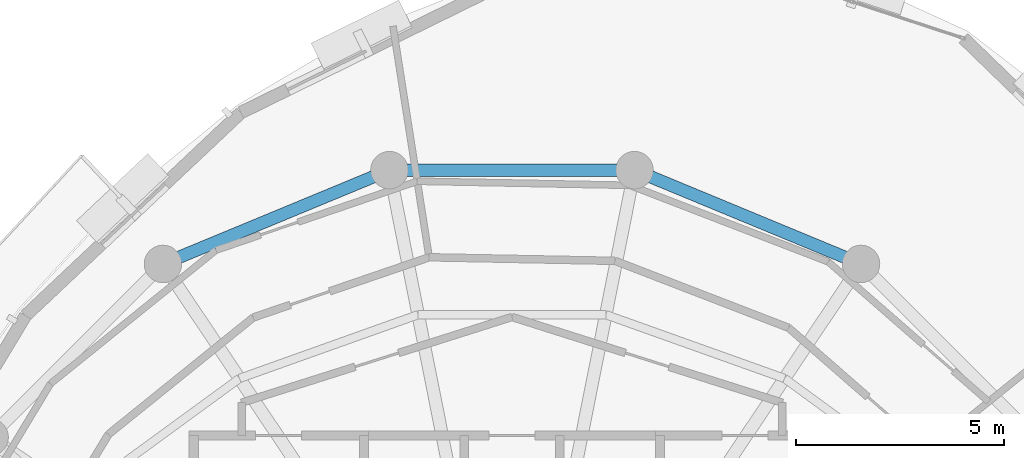
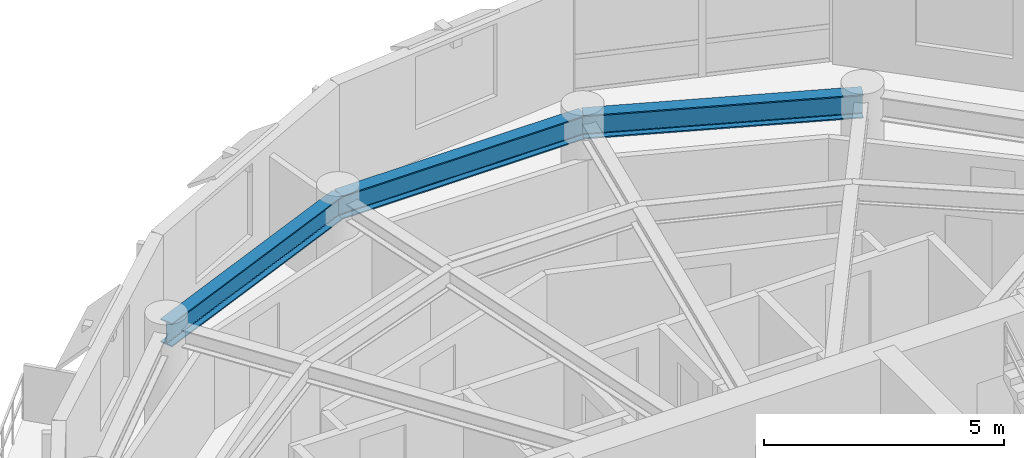
# One storey, part 4 of 11: 3 beams.
"""IFC4 building model written with IfcOpenShell, lengths in metres."""

from ifc_helpers import new_model, si_unit, direction, frame, origin, origin_2d, place, context, subcontext, project, spatial, i_section, extrude, material, material_profile, profile_set, type_object, element, save


model = new_model("IFC4")

# Units and contexts
model_context = context("Model", 3, precision=1e-05, world=origin(), true_north=direction((0.0, 1.0)))
body_context = subcontext(model_context, "Body", "Model", "MODEL_VIEW")
ifc_project = project(units=[si_unit("LENGTHUNIT", "METRE"), si_unit("AREAUNIT", "SQUARE_METRE"), si_unit("VOLUMEUNIT", "CUBIC_METRE"), si_unit("PLANEANGLEUNIT", "RADIAN"), si_unit("MASSUNIT", "GRAM", prefix="KILO"), si_unit("THERMODYNAMICTEMPERATUREUNIT", "KELVIN"), si_unit("POWERUNIT", "WATT")], contexts=[model_context])

# Site, building, storey
site_placement = place(None, origin())
site = spatial("IfcSite", under=ifc_project, at=site_placement, CompositionType="ELEMENT")
building_placement = place(site_placement, origin())
building = spatial("IfcBuilding", under=site, at=building_placement, Name="Ocrelia Relay Tower", CompositionType="ELEMENT")
storey_placement = place(building_placement, frame((0.0, 0.0, 273.60009765625)))
storey = spatial("IfcBuildingStorey", under=building, at=storey_placement, Name="L68", CompositionType="ELEMENT", Elevation=273.60009765625)

# Beams
ifc_material = material(Name="Steel S355", Category="steel")
ifc_material_profile = material_profile(ifc_material, i_section(OverallWidth=0.300048828125, OverallDepth=0.60009765625, WebThickness=0.015380859375, FlangeThickness=0.030029296875, FilletRadius=0.027099609375, at=origin_2d()), Name="HEB 600")
ifc_profile_set = profile_set([ifc_material_profile], Name="Steel S355")
beam_type = type_object("IfcBeamType", Name="BM-HEB600", PredefinedType="BEAM", material=ifc_profile_set)
beam_1_placement = place(storey_placement, frame((42.38916015625, 38.55517578125, 3.079833984375), z_axis=(-0.923884009374, 0.382672624084, 0.0), x_axis=(-0.382672624084, -0.923884009374, 0.0)))
element("IfcBeam", 1, at=beam_1_placement, inside=storey, type_object=beam_type, Name="L68 Perimeter Spandrel Beam S03", PredefinedType="BEAM", context=body_context, shape_type="SweptSolid", body=[
    extrude(i_section(OverallWidth=0.300048828125, OverallDepth=0.60009765625, WebThickness=0.015380859375, FlangeThickness=0.030029296875, FilletRadius=0.027099609375, at=origin_2d()), origin(), (0.0, 0.0, 1.0), 5.891845703125),
])
beam_2_placement = place(storey_placement, frame((36.94580078125, 40.809814453125, 3.079833984375), z_axis=(-1.0, 0.0, 0.0), x_axis=(0.0, -1.0, 0.0)))
element("IfcBeam", 2, at=beam_2_placement, inside=storey, type_object=beam_type, Name="L68 Perimeter Spandrel Beam S04", PredefinedType="BEAM", context=body_context, shape_type="SweptSolid", body=[
    extrude(i_section(OverallWidth=0.300048828125, OverallDepth=0.60009765625, WebThickness=0.015380859375, FlangeThickness=0.030029296875, FilletRadius=0.027099609375, at=origin_2d()), origin(), (0.0, 0.0, 1.0), 5.8916015625),
])
beam_3_placement = place(storey_placement, frame((31.05419921875, 40.809814453125, 3.079833984375), z_axis=(-0.923884009374, -0.382672624084, 0.0), x_axis=(0.382672624084, -0.923884009374, 0.0)))
element("IfcBeam", 3, at=beam_3_placement, inside=storey, type_object=beam_type, Name="L68 Perimeter Spandrel Beam S05", PredefinedType="BEAM", context=body_context, shape_type="SweptSolid", body=[
    extrude(i_section(OverallWidth=0.300048828125, OverallDepth=0.60009765625, WebThickness=0.015380859375, FlangeThickness=0.030029296875, FilletRadius=0.027099609375, at=origin_2d()), origin(), (0.0, 0.0, 1.0), 5.891845703125),
])

save(model, "model.ifc")
